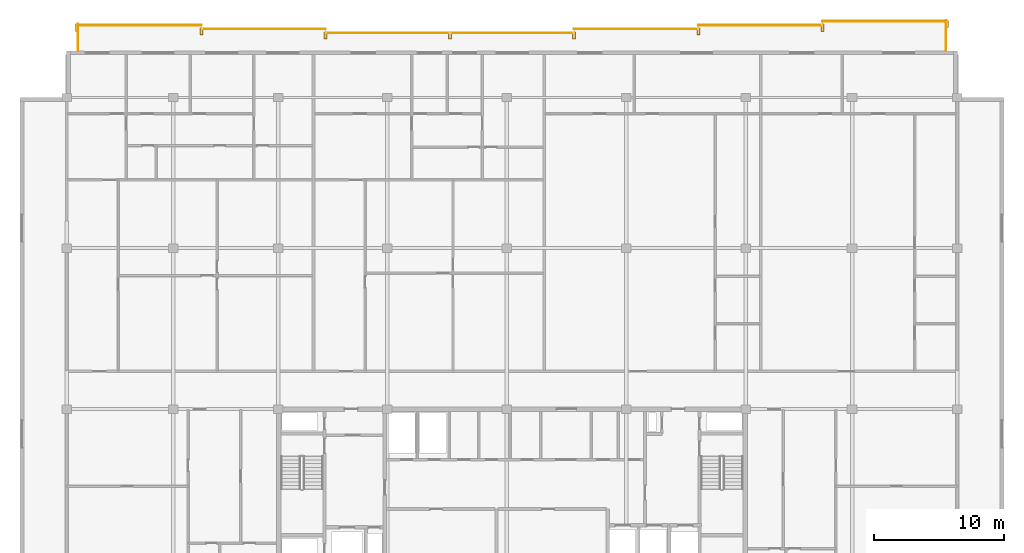
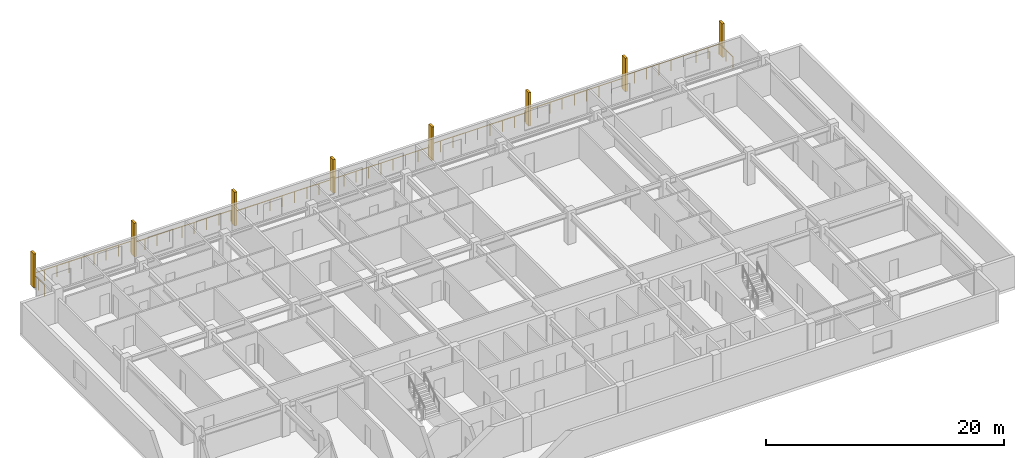
# One storey, part 11 of 11: 8 railings, 8 shading devices.
"""IFC4 building model written with IfcOpenShell, lengths in metres."""

from ifc_helpers import new_model, si_unit, direction, frame, origin, origin_2d, place, context, subcontext, project, spatial, rectangle, circle, extrude, material, type_object, element, save


model = new_model("IFC4")

# Units and contexts
model_context = context("Model", 3, precision=1e-05, world=origin(), true_north=direction((0.0, 1.0)))
body_context = subcontext(model_context, "Body", "Model", "MODEL_VIEW")
ifc_project = project(units=[si_unit("LENGTHUNIT", "METRE"), si_unit("AREAUNIT", "SQUARE_METRE"), si_unit("VOLUMEUNIT", "CUBIC_METRE"), si_unit("PLANEANGLEUNIT", "RADIAN"), si_unit("MASSUNIT", "GRAM", prefix="KILO")], contexts=[model_context])

# Site, building, storey
site_placement = place(None, origin())
site = spatial("IfcSite", under=ifc_project, at=site_placement, CompositionType="ELEMENT")
building_placement = place(site_placement, origin())
building = spatial("IfcBuilding", under=site, at=building_placement, Name="Korimba Cascade Residences", CompositionType="ELEMENT")
storey_placement = place(building_placement, frame((0.0, 0.0, 252.800048828125)))
storey = spatial("IfcBuildingStorey", under=building, at=storey_placement, Name="L73", CompositionType="ELEMENT", Elevation=252.800048828125)

# Railings
ifc_material_1 = material(Name="Laminated Glass and Bronze Balustrade", Category="glass")
railing_type = type_object("IfcRailingType", Name="RLG-LOG-1150", PredefinedType="BALUSTRADE", material=ifc_material_1)
railing_1_placement = place(storey_placement, frame((127.52001953125, 94.800048828125, 0.0)))
element("IfcRailing", 1, at=railing_1_placement, inside=storey, type_object=railing_type, Name="L73 Perimeter Guardrail RLG-L73-T1-LOG-01", PredefinedType="BALUSTRADE", context=body_context, shape_type="SweptSolid", body=[
    extrude(circle(Radius=0.02392578125, at=origin_2d()), frame((0.0, 0.0, 1.1259765625), z_axis=(0.0, 1.0, 0.0), x_axis=(-1.0, 0.0, 0.0)), (0.0, 0.0, 1.0), 2.349853515625),
    extrude(circle(Radius=0.02099609375, at=origin_2d()), origin(), (0.0, 0.0, 1.0), 1.101806640625),
    extrude(circle(Radius=0.02099609375, at=origin_2d()), frame((0.0, 1.1748046875, 0.0)), (0.0, 0.0, 1.0), 1.101806640625),
    extrude(circle(Radius=0.02099609375, at=origin_2d()), frame((0.0, 2.349853515625, 0.0)), (0.0, 0.0, 1.0), 1.101806640625),
])
for number, where, name in (
    (2, (127.60009765625, 97.070068359375, 0.0), "L73 Perimeter Guardrail RLG-L73-T1-LOG-02"),
    (3, (118.028564453125, 96.77001953125, 0.0), "L73 Perimeter Guardrail RLG-L73-T1-LOG-03"),
):
    element("IfcRailing", number, at=place(storey_placement, frame(where)), inside=storey, type_object=railing_type, Name=name, PredefinedType="BALUSTRADE", context=body_context, shape_type="SweptSolid", body=[
        extrude(circle(Radius=0.02392578125, at=origin_2d()), frame((0.0, 0.0, 1.1259765625), z_axis=(-1.0, 0.0, 0.0), x_axis=(0.0, -1.0, 0.0)), (0.0, 0.0, 1.0), 9.571533203125),
        extrude(circle(Radius=0.02099609375, at=origin_2d()), origin(), (0.0, 0.0, 1.0), 1.101806640625),
        extrude(circle(Radius=0.02099609375, at=origin_2d()), frame((-1.196533203125, 0.0, 0.0)), (0.0, 0.0, 1.0), 1.101806640625),
        extrude(circle(Radius=0.02099609375, at=origin_2d()), frame((-2.392822265625, 0.0, 0.0)), (0.0, 0.0, 1.0), 1.101806640625),
        extrude(circle(Radius=0.02099609375, at=origin_2d()), frame((-3.58935546875, 0.0, 0.0)), (0.0, 0.0, 1.0), 1.101806640625),
        extrude(circle(Radius=0.02099609375, at=origin_2d()), frame((-4.78564453125, 0.0, 0.0)), (0.0, 0.0, 1.0), 1.101806640625),
        extrude(circle(Radius=0.02099609375, at=origin_2d()), frame((-5.982177734375, 0.0, 0.0)), (0.0, 0.0, 1.0), 1.101806640625),
        extrude(circle(Radius=0.02099609375, at=origin_2d()), frame((-7.1787109375, 0.0, 0.0)), (0.0, 0.0, 1.0), 1.101806640625),
        extrude(circle(Radius=0.02099609375, at=origin_2d()), frame((-8.375, 0.0, 0.0)), (0.0, 0.0, 1.0), 1.101806640625),
        extrude(circle(Radius=0.02099609375, at=origin_2d()), frame((-9.571533203125, 0.0, 0.0)), (0.0, 0.0, 1.0), 1.101806640625),
    ])
railing_2_placement = place(storey_placement, frame((108.45703125, 96.469970703125, 0.0)))
element("IfcRailing", 4, at=railing_2_placement, inside=storey, type_object=railing_type, Name="L73 Perimeter Guardrail RLG-L73-T1-LOG-04", PredefinedType="BALUSTRADE", context=body_context, shape_type="SweptSolid", body=[
    extrude(circle(Radius=0.02392578125, at=origin_2d()), frame((0.0, 0.0, 1.1259765625), z_axis=(-1.0, 0.0, 0.0), x_axis=(0.0, -1.0, 0.0)), (0.0, 0.0, 1.0), 9.5712890625),
    extrude(circle(Radius=0.02099609375, at=origin_2d()), origin(), (0.0, 0.0, 1.0), 1.101806640625),
    extrude(circle(Radius=0.02099609375, at=origin_2d()), frame((-1.1962890625, 0.0, 0.0)), (0.0, 0.0, 1.0), 1.101806640625),
    extrude(circle(Radius=0.02099609375, at=origin_2d()), frame((-2.392822265625, 0.0, 0.0)), (0.0, 0.0, 1.0), 1.101806640625),
    extrude(circle(Radius=0.02099609375, at=origin_2d()), frame((-3.58935546875, 0.0, 0.0)), (0.0, 0.0, 1.0), 1.101806640625),
    extrude(circle(Radius=0.02099609375, at=origin_2d()), frame((-4.78564453125, 0.0, 0.0)), (0.0, 0.0, 1.0), 1.101806640625),
    extrude(circle(Radius=0.02099609375, at=origin_2d()), frame((-5.98193359375, 0.0, 0.0)), (0.0, 0.0, 1.0), 1.101806640625),
    extrude(circle(Radius=0.02099609375, at=origin_2d()), frame((-7.178466796875, 0.0, 0.0)), (0.0, 0.0, 1.0), 1.101806640625),
    extrude(circle(Radius=0.02099609375, at=origin_2d()), frame((-8.375, 0.0, 0.0)), (0.0, 0.0, 1.0), 1.101806640625),
    extrude(circle(Radius=0.02099609375, at=origin_2d()), frame((-9.5712890625, 0.0, 0.0)), (0.0, 0.0, 1.0), 1.101806640625),
])
railing_3_placement = place(storey_placement, frame((98.8857421875, 96.169921875, 0.0)))
element("IfcRailing", 5, at=railing_3_placement, inside=storey, type_object=railing_type, Name="L73 Perimeter Guardrail RLG-L73-T1-LOG-05", PredefinedType="BALUSTRADE", context=body_context, shape_type="SweptSolid", body=[
    extrude(circle(Radius=0.02392578125, at=origin_2d()), frame((0.0, 0.0, 1.1259765625), z_axis=(-1.0, 0.0, 0.0), x_axis=(0.0, -1.0, 0.0)), (0.0, 0.0, 1.0), 19.142822265625),
    extrude(circle(Radius=0.02099609375, at=origin_2d()), origin(), (0.0, 0.0, 1.0), 1.101806640625),
    extrude(circle(Radius=0.02099609375, at=origin_2d()), frame((-1.196533203125, 0.0, 0.0)), (0.0, 0.0, 1.0), 1.101806640625),
    extrude(circle(Radius=0.02099609375, at=origin_2d()), frame((-2.392822265625, 0.0, 0.0)), (0.0, 0.0, 1.0), 1.101806640625),
    extrude(circle(Radius=0.02099609375, at=origin_2d()), frame((-3.58935546875, 0.0, 0.0)), (0.0, 0.0, 1.0), 1.101806640625),
    extrude(circle(Radius=0.02099609375, at=origin_2d()), frame((-4.78564453125, 0.0, 0.0)), (0.0, 0.0, 1.0), 1.101806640625),
    extrude(circle(Radius=0.02099609375, at=origin_2d()), frame((-5.982177734375, 0.0, 0.0)), (0.0, 0.0, 1.0), 1.101806640625),
    extrude(circle(Radius=0.02099609375, at=origin_2d()), frame((-7.178466796875, 0.0, 0.0)), (0.0, 0.0, 1.0), 1.101806640625),
    extrude(circle(Radius=0.02099609375, at=origin_2d()), frame((-8.375, 0.0, 0.0)), (0.0, 0.0, 1.0), 1.101806640625),
    extrude(circle(Radius=0.02099609375, at=origin_2d()), frame((-9.5712890625, 0.0, 0.0)), (0.0, 0.0, 1.0), 1.101806640625),
    extrude(circle(Radius=0.02099609375, at=origin_2d()), frame((-10.767822265625, 0.0, 0.0)), (0.0, 0.0, 1.0), 1.101806640625),
    extrude(circle(Radius=0.02099609375, at=origin_2d()), frame((-11.96435546875, 0.0, 0.0)), (0.0, 0.0, 1.0), 1.101806640625),
    extrude(circle(Radius=0.02099609375, at=origin_2d()), frame((-13.16064453125, 0.0, 0.0)), (0.0, 0.0, 1.0), 1.101806640625),
    extrude(circle(Radius=0.02099609375, at=origin_2d()), frame((-14.357177734375, 0.0, 0.0)), (0.0, 0.0, 1.0), 1.101806640625),
    extrude(circle(Radius=0.02099609375, at=origin_2d()), frame((-15.553466796875, 0.0, 0.0)), (0.0, 0.0, 1.0), 1.101806640625),
    extrude(circle(Radius=0.02099609375, at=origin_2d()), frame((-16.75, 0.0, 0.0)), (0.0, 0.0, 1.0), 1.101806640625),
    extrude(circle(Radius=0.02099609375, at=origin_2d()), frame((-17.9462890625, 0.0, 0.0)), (0.0, 0.0, 1.0), 1.101806640625),
    extrude(circle(Radius=0.02099609375, at=origin_2d()), frame((-19.142822265625, 0.0, 0.0)), (0.0, 0.0, 1.0), 1.101806640625),
])
railing_4_placement = place(storey_placement, frame((79.742919921875, 96.469970703125, 0.0)))
element("IfcRailing", 6, at=railing_4_placement, inside=storey, type_object=railing_type, Name="L73 Perimeter Guardrail RLG-L73-T1-LOG-06", PredefinedType="BALUSTRADE", context=body_context, shape_type="SweptSolid", body=[
    extrude(circle(Radius=0.02392578125, at=origin_2d()), frame((0.0, 0.0, 1.1259765625), z_axis=(-1.0, 0.0, 0.0), x_axis=(0.0, -1.0, 0.0)), (0.0, 0.0, 1.0), 9.571533203125),
    extrude(circle(Radius=0.02099609375, at=origin_2d()), origin(), (0.0, 0.0, 1.0), 1.101806640625),
    extrude(circle(Radius=0.02099609375, at=origin_2d()), frame((-1.196533203125, 0.0, 0.0)), (0.0, 0.0, 1.0), 1.101806640625),
    extrude(circle(Radius=0.02099609375, at=origin_2d()), frame((-2.392822265625, 0.0, 0.0)), (0.0, 0.0, 1.0), 1.101806640625),
    extrude(circle(Radius=0.02099609375, at=origin_2d()), frame((-3.58935546875, 0.0, 0.0)), (0.0, 0.0, 1.0), 1.101806640625),
    extrude(circle(Radius=0.02099609375, at=origin_2d()), frame((-4.78564453125, 0.0, 0.0)), (0.0, 0.0, 1.0), 1.101806640625),
    extrude(circle(Radius=0.02099609375, at=origin_2d()), frame((-5.982177734375, 0.0, 0.0)), (0.0, 0.0, 1.0), 1.101806640625),
    extrude(circle(Radius=0.02099609375, at=origin_2d()), frame((-7.1787109375, 0.0, 0.0)), (0.0, 0.0, 1.0), 1.101806640625),
    extrude(circle(Radius=0.02099609375, at=origin_2d()), frame((-8.375, 0.0, 0.0)), (0.0, 0.0, 1.0), 1.101806640625),
    extrude(circle(Radius=0.02099609375, at=origin_2d()), frame((-9.571533203125, 0.0, 0.0)), (0.0, 0.0, 1.0), 1.101806640625),
])
railing_5_placement = place(storey_placement, frame((70.17138671875, 96.77001953125, 0.0)))
element("IfcRailing", 7, at=railing_5_placement, inside=storey, type_object=railing_type, Name="L73 Perimeter Guardrail RLG-L73-T1-LOG-07", PredefinedType="BALUSTRADE", context=body_context, shape_type="SweptSolid", body=[
    extrude(circle(Radius=0.02392578125, at=origin_2d()), frame((0.0, 0.0, 1.1259765625), z_axis=(-1.0, 0.0, 0.0), x_axis=(0.0, -1.0, 0.0)), (0.0, 0.0, 1.0), 9.5712890625),
    extrude(circle(Radius=0.02099609375, at=origin_2d()), origin(), (0.0, 0.0, 1.0), 1.101806640625),
    extrude(circle(Radius=0.02099609375, at=origin_2d()), frame((-1.1962890625, 0.0, 0.0)), (0.0, 0.0, 1.0), 1.101806640625),
    extrude(circle(Radius=0.02099609375, at=origin_2d()), frame((-2.392822265625, 0.0, 0.0)), (0.0, 0.0, 1.0), 1.101806640625),
    extrude(circle(Radius=0.02099609375, at=origin_2d()), frame((-3.58935546875, 0.0, 0.0)), (0.0, 0.0, 1.0), 1.101806640625),
    extrude(circle(Radius=0.02099609375, at=origin_2d()), frame((-4.78564453125, 0.0, 0.0)), (0.0, 0.0, 1.0), 1.101806640625),
    extrude(circle(Radius=0.02099609375, at=origin_2d()), frame((-5.98193359375, 0.0, 0.0)), (0.0, 0.0, 1.0), 1.101806640625),
    extrude(circle(Radius=0.02099609375, at=origin_2d()), frame((-7.178466796875, 0.0, 0.0)), (0.0, 0.0, 1.0), 1.101806640625),
    extrude(circle(Radius=0.02099609375, at=origin_2d()), frame((-8.375, 0.0, 0.0)), (0.0, 0.0, 1.0), 1.101806640625),
    extrude(circle(Radius=0.02099609375, at=origin_2d()), frame((-9.5712890625, 0.0, 0.0)), (0.0, 0.0, 1.0), 1.101806640625),
])
railing_6_placement = place(storey_placement, frame((60.679931640625, 96.85009765625, 0.0)))
element("IfcRailing", 8, at=railing_6_placement, inside=storey, type_object=railing_type, Name="L73 Perimeter Guardrail RLG-L73-T1-LOG-08", PredefinedType="BALUSTRADE", context=body_context, shape_type="SweptSolid", body=[
    extrude(circle(Radius=0.02392578125, at=origin_2d()), frame((0.0, 0.0, 1.1259765625), z_axis=(0.0, -1.0, 0.0), x_axis=(1.0, 0.0, 0.0)), (0.0, 0.0, 1.0), 2.050048828125),
    extrude(circle(Radius=0.02099609375, at=origin_2d()), origin(), (0.0, 0.0, 1.0), 1.101806640625),
    extrude(circle(Radius=0.02099609375, at=origin_2d()), frame((0.0, -1.02490234375, 0.0)), (0.0, 0.0, 1.0), 1.101806640625),
    extrude(circle(Radius=0.02099609375, at=origin_2d()), frame((0.0, -2.050048828125, 0.0)), (0.0, 0.0, 1.0), 1.101806640625),
])

# Shading devices
ifc_material_2 = material(Name="Honed Sandstone Precast Fin", Category="masonry")
shading_device_type = type_object("IfcShadingDeviceType", Name="SHD-FIN-550", PredefinedType="USERDEFINED", material=ifc_material_2)
for number, where, z_axis, x_axis, name in (
    (9, (60.60009765625, 96.574951171875, 0.0), (0.0, 0.0, 1.0), (1.0, 0.0, 0.0), "L73 T1 Warm-Stone Loggia Fin 1"),
    (10, (70.17138671875, 96.27490234375, 0.0), (0.0, 0.0, 1.0), (1.0, 0.0, 0.0), "L73 T1 Warm-Stone Loggia Fin 2"),
    (11, (79.742919921875, 95.97509765625, 0.0), (0.0, 0.0, 1.0), (1.0, 0.0, 0.0), "L73 T1 Warm-Stone Loggia Fin 3"),
    (12, (89.314208984375, 95.97509765625, 0.0), (0.0, 0.0, 1.0), (1.0, 0.0, 0.0), "L73 T1 Warm-Stone Loggia Fin 4"),
    (13, (98.8857421875, 95.97509765625, 0.0), (0.0, 0.0, 1.0), (1.0, 0.0, 0.0), "L73 T1 Warm-Stone Loggia Fin 5"),
    (14, (108.45703125, 96.27490234375, 0.0), (0.0, 0.0, 1.0), (1.0, 0.0, 0.0), "L73 T1 Warm-Stone Loggia Fin 6"),
    (15, (118.028564453125, 96.574951171875, 0.0), (0.0, 0.0, 1.0), (1.0, 0.0, 0.0), "L73 T1 Warm-Stone Loggia Fin 7"),
    (16, (127.60009765625, 96.875, 0.0), (0.0, 0.0, 1.0), (1.0, 0.0, 0.0), "L73 T1 Warm-Stone Loggia Fin 8"),
):
    element("IfcShadingDevice", number, at=place(storey_placement, frame(where, z_axis=z_axis, x_axis=x_axis)), inside=storey, type_object=shading_device_type, Name=name, ObjectType="FIN", PredefinedType="USERDEFINED", context=body_context, shape_type="SweptSolid", body=[
        extrude(rectangle(XDim=0.219970703125, YDim=0.550048828125, at=origin_2d()), origin(), (0.0, 0.0, 1.0), 3.449951171875),
    ])

save(model, "model.ifc")
